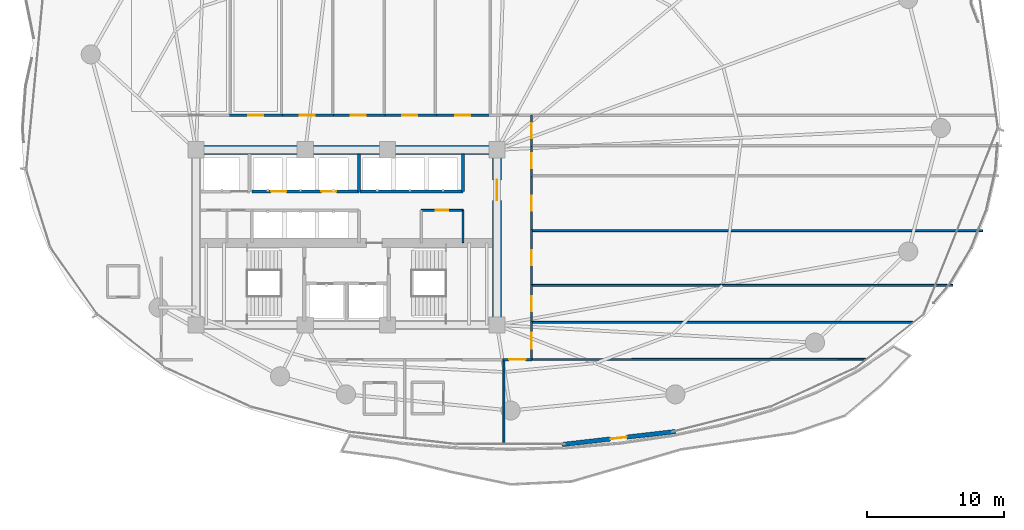
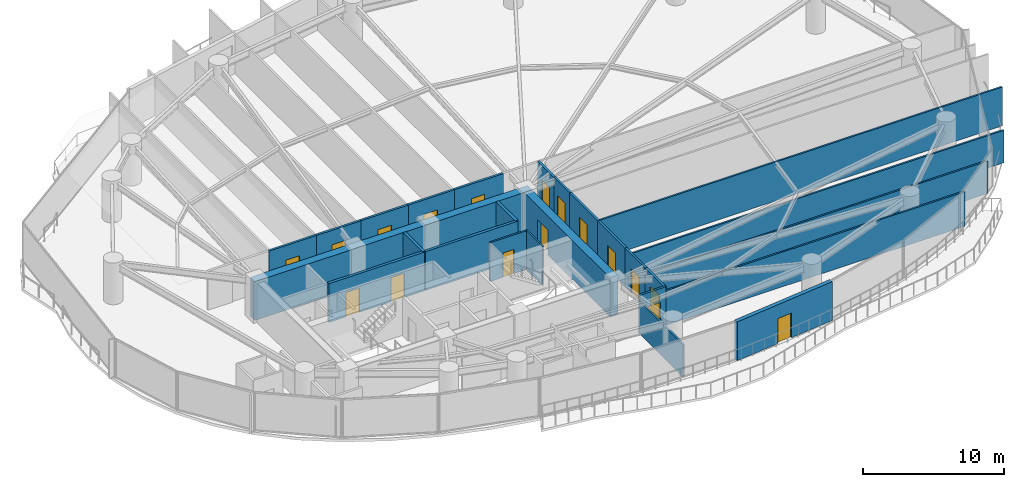
# One storey, part 26 of 32: 26 walls, 17 doors, 17 openings.
"""IFC4 building model written with IfcOpenShell, lengths in metres."""

from ifc_helpers import new_model, si_unit, direction, frame, frame_2d, origin, place, context, subcontext, project, spatial, rectangle, extrude, material, layer, layer_set, type_object, element, fill, save


model = new_model("IFC4")

# Units and contexts
model_context = context("Model", 3, precision=1e-05, world=origin(), true_north=direction((0.0, 1.0)))
body_context = subcontext(model_context, "Body", "Model", "MODEL_VIEW")
ifc_project = project(units=[si_unit("LENGTHUNIT", "METRE"), si_unit("AREAUNIT", "SQUARE_METRE"), si_unit("VOLUMEUNIT", "CUBIC_METRE"), si_unit("PLANEANGLEUNIT", "RADIAN"), si_unit("MASSUNIT", "GRAM", prefix="KILO")], contexts=[model_context])

# Site, building, storey
site_placement = place(None, origin())
site = spatial("IfcSite", under=ifc_project, at=site_placement, CompositionType="ELEMENT")
building_placement = place(site_placement, origin())
building = spatial("IfcBuilding", under=site, at=building_placement, Name="Kazevale Care Tower and Concert Hall", CompositionType="ELEMENT")
storey_placement = place(building_placement, frame((0.0, 0.0, 34.800048828125)))
storey = spatial("IfcBuildingStorey", under=building, at=storey_placement, Name="L08", CompositionType="ELEMENT", Elevation=34.800048828125)

# Wall
ifc_material_1 = material(Name="Acoustic Gypsum on Steel Stud", Category="steel")
ifc_layer_1 = layer(ifc_material_1, 0.139892578125)
ifc_layer_set_1 = layer_set([ifc_layer_1], Name="Acoustic Gypsum on Steel Stud")
wall_type_1 = type_object("IfcWallType", Name="Acoustic Care & Suite Partition 140", PredefinedType="PARTITIONING", material=ifc_layer_set_1)
wall_1_placement = place(storey_placement, frame((41.52001953125, 29.6201171875, 0.0), z_axis=(0.0, 0.0, 1.0), x_axis=(0.0, 1.0, 0.0)))
element("IfcWall", 1, at=wall_1_placement, inside=storey, type_object=wall_type_1, Name="wall:L08:kb_ee", PredefinedType="PARTITIONING", context=body_context, shape_type="SweptSolid", body=[
    extrude(rectangle(XDim=2.35986328125, YDim=0.139892578125, at=frame_2d((1.179931640625, 0.0))), origin(), (0.0, 0.0, 1.0), 3.35986328125),
])

# Wall, opening, door
wall_2_placement = place(storey_placement, frame((38.47998046875, 31.97998046875, 0.0), z_axis=(0.0, 0.0, 1.0), x_axis=(1.0, 0.0, 0.0)))
wall_2 = element("IfcWall", 2, at=wall_2_placement, inside=storey, type_object=wall_type_1, Name="wall:L08:kb_en", PredefinedType="PARTITIONING", context=body_context, shape_type="SweptSolid", body=[
    extrude(rectangle(XDim=3.0400390625, YDim=0.139892578125, at=frame_2d((1.52001953125, 0.0))), origin(), (0.0, 0.0, 1.0), 3.35986328125),
])
opening_1_placement = place(wall_2_placement, frame((1.044921875, 0.0, 0.0)))
opening_1 = element("IfcOpeningElement", 3, at=opening_1_placement, cuts=wall_2, Name="Opening ID-900", PredefinedType="OPENING", context=body_context, shape_type="SweptSolid", body=[
    extrude(rectangle(XDim=0.919921875, YDim=2.10009765625, at=frame_2d((0.4599609375, 1.050048828125))), frame((0.0, 0.079833984375, 0.0), z_axis=(0.0, -1.0, 0.0), x_axis=(1.0, 0.0, 0.0)), (0.0, 0.0, 1.0), 0.159912109375),
])
ifc_material_2 = material(Name="Oak Timber Fire Leaf", Category="wood")
door_type_1 = type_object("IfcDoorType", Name="Bathroom & Service Door 920x2100", OperationType="NOTDEFINED", PredefinedType="DOOR", material=ifc_material_2)
door_1_placement = place(opening_1_placement, origin())
door_1 = element("IfcDoor", 4, at=door_1_placement, inside=storey, type_object=door_type_1, Name="door:L08:d_kbe", OperationType="SINGLE_SWING_LEFT", OverallHeight=2.10009765625, OverallWidth=0.919921875, PredefinedType="DOOR", context=body_context, shape_type="SweptSolid", body=[
    extrude(rectangle(XDim=0.919921875, YDim=2.10009765625, at=frame_2d((0.4599609375, 1.050048828125))), frame((0.0, 0.02490234375, 0.0), z_axis=(0.0, -1.0, 0.0), x_axis=(1.0, 0.0, 0.0)), (0.0, 0.0, 1.0), 0.050048828125),
])
fill(opening_1, door_1)

# Walls
wall_3_placement = place(storey_placement, frame((46.4951171875, 23.7900390625, 0.0), z_axis=(0.0, 0.0, 1.0), x_axis=(1.0, 0.0, 0.0)))
element("IfcWall", 5, at=wall_3_placement, inside=storey, type_object=wall_type_1, Name="wall:L08:auto_026", PredefinedType="PARTITIONING", context=body_context, shape_type="SweptSolid", body=[
    extrude(rectangle(XDim=27.9462890625, YDim=0.139892578125, at=frame_2d((13.97314453125, 0.0))), origin(), (0.0, 0.0, 1.0), 2.805908203125),
])
wall_4_placement = place(storey_placement, frame((71.0107421875, 21.094482421875, 0.0), z_axis=(0.0, 0.0, 1.0), x_axis=(-0.999999682646, -0.000796685534, 0.0)))
element("IfcWall", 6, at=wall_4_placement, inside=storey, type_object=wall_type_1, Name="wall:L08:auto_027", PredefinedType="PARTITIONING", context=body_context, shape_type="SweptSolid", body=[
    extrude(rectangle(XDim=24.515625, YDim=0.139892578125, at=frame_2d((12.2578125, 0.0))), origin(), (0.0, 0.0, 1.0), 2.995849609375),
])
wall_5_placement = place(storey_placement, frame((46.4951171875, 26.5, 0.0), z_axis=(0.0, 0.0, 1.0), x_axis=(1.0, 0.0, 0.0)))
element("IfcWall", 7, at=wall_5_placement, inside=storey, type_object=wall_type_1, Name="wall:L08:auto_028", PredefinedType="PARTITIONING", context=body_context, shape_type="SweptSolid", body=[
    extrude(rectangle(XDim=30.830810546875, YDim=0.139892578125, at=frame_2d((15.41552734375, 0.0))), origin(), (0.0, 0.0, 1.0), 2.805908203125),
])
wall_6_placement = place(storey_placement, frame((46.4951171875, 30.5, 0.0), z_axis=(0.0, 0.0, 1.0), x_axis=(1.0, 0.0, 0.0)))
element("IfcWall", 8, at=wall_6_placement, inside=storey, type_object=wall_type_1, Name="wall:L08:auto_029", PredefinedType="PARTITIONING", context=body_context, shape_type="SweptSolid", body=[
    extrude(rectangle(XDim=33.0078125, YDim=0.139892578125, at=frame_2d((16.50390625, 0.0))), origin(), (0.0, 0.0, 1.0), 3.35986328125),
])
wall_7_placement = place(storey_placement, frame((44.5, 21.10498046875, 0.0), z_axis=(0.0, 0.0, 1.0), x_axis=(0.0, -1.0, 0.0)))
element("IfcWall", 9, at=wall_7_placement, inside=storey, type_object=wall_type_1, Name="wall:L08:auto_033", PredefinedType="PARTITIONING", context=body_context, shape_type="SweptSolid", body=[
    extrude(rectangle(XDim=6.205078125, YDim=0.139892578125, at=frame_2d((3.1025390625, 0.0))), origin(), (0.0, 0.0, 1.0), 2.805908203125),
])
ifc_material_3 = material(Name="Concrete C70", Category="concrete")
ifc_layer_2 = layer(ifc_material_3, 0.64990234375)
ifc_layer_set_2 = layer_set([ifc_layer_2], Name="Concrete C70")
wall_type_2 = type_object("IfcWallType", Name="Core Shear Wall 650 C70", PredefinedType="SHEAR", material=ifc_layer_set_2)
wall_8_placement = place(storey_placement, frame((21.675048828125, 36.39990234375, 0.0), z_axis=(0.0, 0.0, 1.0), x_axis=(1.0, 0.0, 0.0)))
element("IfcWall", 10, at=wall_8_placement, inside=storey, type_object=wall_type_2, Name="wall:L08:core:N", PredefinedType="SHEAR", context=body_context, shape_type="SweptSolid", body=[
    extrude(rectangle(XDim=22.64990234375, YDim=0.64990234375, at=frame_2d((11.324951171875, 0.0))), origin(), (0.0, 0.0, 1.0), 3.35986328125),
])

# Wall, opening, door
wall_9_placement = place(storey_placement, frame((44.0, 23.925048828125, 0.0), z_axis=(0.0, 0.0, 1.0), x_axis=(0.0, 1.0, 0.0)))
wall_9 = element("IfcWall", 11, at=wall_9_placement, inside=storey, type_object=wall_type_2, Name="wall:L08:core:E", PredefinedType="SHEAR", context=body_context, shape_type="SweptSolid", body=[
    extrude(rectangle(XDim=12.14990234375, YDim=0.64990234375, at=frame_2d((6.074951171875, 0.0))), origin(), (0.0, 0.0, 1.0), 3.35986328125),
])
opening_2_placement = place(wall_9_placement, frame((8.77490234375, 0.0, 0.0)))
opening_2 = element("IfcOpeningElement", 12, at=opening_2_placement, cuts=wall_9, Name="Opening FD-60D", PredefinedType="OPENING", context=body_context, shape_type="SweptSolid", body=[
    extrude(rectangle(XDim=1.5, YDim=2.14990234375, at=frame_2d((0.75, 1.074951171875))), frame((0.0, 0.3349609375, 0.0), z_axis=(0.0, -1.0, 0.0), x_axis=(1.0, 0.0, 0.0)), (0.0, 0.0, 1.0), 0.669921875),
])
door_type_2 = type_object("IfcDoorType", Name="Double Lobby & Auditorium Fire Door 1500x2150", OperationType="NOTDEFINED", PredefinedType="DOOR", material=ifc_material_2)
door_2_placement = place(opening_2_placement, origin())
door_2 = element("IfcDoor", 13, at=door_2_placement, inside=storey, type_object=door_type_2, Name="door:L08:core_east_out", OperationType="DOUBLE_DOOR_SINGLE_SWING", OverallHeight=2.14990234375, OverallWidth=1.5, PredefinedType="DOOR", context=body_context, shape_type="SweptSolid", body=[
    extrude(rectangle(XDim=1.5, YDim=2.14990234375, at=frame_2d((0.75, 1.074951171875))), frame((0.0, 0.02490234375, 0.0), z_axis=(0.0, -1.0, 0.0), x_axis=(1.0, 0.0, 0.0)), (0.0, 0.0, 1.0), 0.050048828125),
])
fill(opening_2, door_2)

# Wall, openings, doors
ifc_material_4 = material(Name="Concrete C40", Category="concrete")
ifc_layer_3 = layer(ifc_material_4, 0.219970703125)
ifc_layer_set_3 = layer_set([ifc_layer_3], Name="Concrete C40")
wall_type_3 = type_object("IfcWallType", Name="Elevator Hoistway Shaft Wall 220", PredefinedType="SOLIDWALL", material=ifc_layer_set_3)
wall_10_placement = place(storey_placement, frame((26.10009765625, 33.35009765625, 0.0), z_axis=(0.0, 0.0, 1.0), x_axis=(1.0, 0.0, 0.0)))
wall_10 = element("IfcWall", 14, at=wall_10_placement, inside=storey, type_object=wall_type_3, Name="wall:L08:c_pl_s", PredefinedType="SOLIDWALL", context=body_context, shape_type="SweptSolid", body=[
    extrude(rectangle(XDim=7.7998046875, YDim=0.219970703125, at=frame_2d((3.89990234375, 0.0))), origin(), (0.0, 0.0, 1.0), 3.35986328125),
])
opening_3_placement = place(wall_10_placement, frame((1.39990234375, 0.0, 0.0)))
opening_3 = element("IfcOpeningElement", 15, at=opening_3_placement, cuts=wall_10, Name="Opening LD-PAX", PredefinedType="OPENING", context=body_context, shape_type="SweptSolid", body=[
    extrude(rectangle(XDim=1.10009765625, YDim=2.10009765625, at=frame_2d((0.550048828125, 1.050048828125))), frame((0.0, 0.119873046875, 0.0), z_axis=(0.0, -1.0, 0.0), x_axis=(1.0, 0.0, 0.0)), (0.0, 0.0, 1.0), 0.239990234375),
])
opening_4_placement = place(wall_10_placement, frame((5.06591796875, 0.0, 0.0)))
opening_4 = element("IfcOpeningElement", 16, at=opening_4_placement, cuts=wall_10, Name="Opening LD-PAX", PredefinedType="OPENING", context=body_context, shape_type="SweptSolid", body=[
    extrude(rectangle(XDim=1.10009765625, YDim=2.10009765625, at=frame_2d((0.550048828125, 1.050048828125))), frame((0.0, 0.119873046875, 0.0), z_axis=(0.0, -1.0, 0.0), x_axis=(1.0, 0.0, 0.0)), (0.0, 0.0, 1.0), 0.239990234375),
])
ifc_material_5 = material(Name="Stainless Steel 316", Category="steel")
door_type_3 = type_object("IfcDoorType", Name="Passenger Lift Sliding Landing Door 1100x2100", OperationType="NOTDEFINED", PredefinedType="DOOR", material=ifc_material_5)
door_3_placement = place(opening_3_placement, origin())
door_3 = element("IfcDoor", 17, at=door_3_placement, inside=storey, type_object=door_type_3, Name="door:L08:ld_pl1", OperationType="SLIDING_TO_LEFT", OverallHeight=2.10009765625, OverallWidth=1.10009765625, PredefinedType="DOOR", context=body_context, shape_type="SweptSolid", body=[
    extrude(rectangle(XDim=1.10009765625, YDim=2.10009765625, at=frame_2d((0.550048828125, 1.050048828125))), frame((0.0, 0.02490234375, 0.0), z_axis=(0.0, -1.0, 0.0), x_axis=(1.0, 0.0, 0.0)), (0.0, 0.0, 1.0), 0.050048828125),
])
fill(opening_3, door_3)
door_4_placement = place(opening_4_placement, origin())
door_4 = element("IfcDoor", 18, at=door_4_placement, inside=storey, type_object=door_type_3, Name="door:L08:ld_pl2", OperationType="SLIDING_TO_RIGHT", OverallHeight=2.10009765625, OverallWidth=1.10009765625, PredefinedType="DOOR", context=body_context, shape_type="SweptSolid", body=[
    extrude(rectangle(XDim=1.10009765625, YDim=2.10009765625, at=frame_2d((0.550048828125, 1.050048828125))), frame((0.0, 0.02490234375, 0.0), z_axis=(0.0, -1.0, 0.0), x_axis=(1.0, 0.0, 0.0)), (0.0, 0.0, 1.0), 0.050048828125),
])
fill(opening_4, door_4)

# Walls
wall_11_placement = place(storey_placement, frame((33.89990234375, 33.35009765625, 0.0), z_axis=(0.0, 0.0, 1.0), x_axis=(0.0, 1.0, 0.0)))
element("IfcWall", 19, at=wall_11_placement, inside=storey, type_object=wall_type_3, Name="wall:L08:c_pl_e", PredefinedType="SOLIDWALL", context=body_context, shape_type="SweptSolid", body=[
    extrude(rectangle(XDim=2.72998046875, YDim=0.219970703125, at=frame_2d((1.364990234375, 0.0))), origin(), (0.0, 0.0, 1.0), 3.35986328125),
])
wall_12_placement = place(storey_placement, frame((33.97998046875, 33.35009765625, 0.0), z_axis=(0.0, 0.0, 1.0), x_axis=(1.0, 0.0, 0.0)))
element("IfcWall", 20, at=wall_12_placement, inside=storey, type_object=wall_type_3, Name="wall:L08:c_pm_s", PredefinedType="SOLIDWALL", context=body_context, shape_type="SweptSolid", body=[
    extrude(rectangle(XDim=7.5400390625, YDim=0.219970703125, at=frame_2d((3.77001953125, 0.0))), origin(), (0.0, 0.0, 1.0), 3.35986328125),
])
wall_13_placement = place(storey_placement, frame((41.5, 33.35009765625, 0.0), z_axis=(0.0, 0.0, 1.0), x_axis=(0.0, 1.0, 0.0)))
element("IfcWall", 21, at=wall_13_placement, inside=storey, type_object=wall_type_3, Name="wall:L08:c_pm_e", PredefinedType="SOLIDWALL", context=body_context, shape_type="SweptSolid", body=[
    extrude(rectangle(XDim=2.75, YDim=0.219970703125, at=frame_2d((1.375, 0.0))), origin(), (0.0, 0.0, 1.0), 3.35986328125),
])

# Wall, opening, door
ifc_material_6 = material(Name="Concrete C40 and Acoustic Gypsum", Category="concrete")
ifc_layer_4 = layer(ifc_material_6, 0.179931640625)
ifc_layer_set_4 = layer_set([ifc_layer_4], Name="Concrete C40 and Acoustic Gypsum")
wall_type_4 = type_object("IfcWallType", Name="Fire-Rated Corridor & Party Wall 180", PredefinedType="PARTITIONING", material=ifc_layer_set_4)
wall_14_placement = place(storey_placement, frame((24.43505859375, 38.925048828125, 0.0), z_axis=(0.0, 0.0, 1.0), x_axis=(1.0, 0.0, 0.0)))
wall_14 = element("IfcWall", 22, at=wall_14_placement, inside=storey, type_object=wall_type_4, Name="wall:L08:auto_002", PredefinedType="PARTITIONING", context=body_context, shape_type="SweptSolid", body=[
    extrude(rectangle(XDim=3.8798828125, YDim=0.179931640625, at=frame_2d((1.93994140625, 0.0))), origin(), (0.0, 0.0, 1.0), 3.35986328125),
])
opening_5_placement = place(wall_14_placement, frame((1.389892578125, 0.0, 0.0)))
opening_5 = element("IfcOpeningElement", 23, at=opening_5_placement, cuts=wall_14, Name="Opening ID-1100", PredefinedType="OPENING", context=body_context, shape_type="SweptSolid", body=[
    extrude(rectangle(XDim=1.10009765625, YDim=2.10009765625, at=frame_2d((0.550048828125, 1.050048828125))), frame((0.0, 0.099853515625, 0.0), z_axis=(0.0, -1.0, 0.0), x_axis=(1.0, 0.0, 0.0)), (0.0, 0.0, 1.0), 0.199951171875),
])
door_type_4 = type_object("IfcDoorType", Name="Care Bedroom Accessible Door 1100x2100", OperationType="NOTDEFINED", PredefinedType="DOOR", material=ifc_material_2)
door_5_placement = place(opening_5_placement, origin())
door_5 = element("IfcDoor", 24, at=door_5_placement, inside=storey, type_object=door_type_4, Name="door:L08:ad_002", OperationType="SINGLE_SWING_LEFT", OverallHeight=2.10009765625, OverallWidth=1.10009765625, PredefinedType="DOOR", context=body_context, shape_type="SweptSolid", body=[
    extrude(rectangle(XDim=1.10009765625, YDim=2.10009765625, at=frame_2d((0.550048828125, 1.050048828125))), frame((0.0, 0.02490234375, 0.0), z_axis=(0.0, -1.0, 0.0), x_axis=(1.0, 0.0, 0.0)), (0.0, 0.0, 1.0), 0.050048828125),
])
fill(opening_5, door_5)

wall_15_placement = place(storey_placement, frame((28.18505859375, 38.925048828125, 0.0), z_axis=(0.0, 0.0, 1.0), x_axis=(1.0, 0.0, 0.0)))
wall_15 = element("IfcWall", 25, at=wall_15_placement, inside=storey, type_object=wall_type_4, Name="wall:L08:auto_003", PredefinedType="PARTITIONING", context=body_context, shape_type="SweptSolid", body=[
    extrude(rectangle(XDim=3.8798828125, YDim=0.179931640625, at=frame_2d((1.93994140625, 0.0))), origin(), (0.0, 0.0, 1.0), 3.35986328125),
])
opening_6_placement = place(wall_15_placement, frame((1.389892578125, 0.0, 0.0)))
opening_6 = element("IfcOpeningElement", 26, at=opening_6_placement, cuts=wall_15, Name="Opening ID-1100", PredefinedType="OPENING", context=body_context, shape_type="SweptSolid", body=[
    extrude(rectangle(XDim=1.10009765625, YDim=2.10009765625, at=frame_2d((0.550048828125, 1.050048828125))), frame((0.0, 0.099853515625, 0.0), z_axis=(0.0, -1.0, 0.0), x_axis=(1.0, 0.0, 0.0)), (0.0, 0.0, 1.0), 0.199951171875),
])
door_6_placement = place(opening_6_placement, origin())
door_6 = element("IfcDoor", 27, at=door_6_placement, inside=storey, type_object=door_type_4, Name="door:L08:ad_003", OperationType="SINGLE_SWING_LEFT", OverallHeight=2.10009765625, OverallWidth=1.10009765625, PredefinedType="DOOR", context=body_context, shape_type="SweptSolid", body=[
    extrude(rectangle(XDim=1.10009765625, YDim=2.10009765625, at=frame_2d((0.550048828125, 1.050048828125))), frame((0.0, 0.02490234375, 0.0), z_axis=(0.0, -1.0, 0.0), x_axis=(1.0, 0.0, 0.0)), (0.0, 0.0, 1.0), 0.050048828125),
])
fill(opening_6, door_6)

wall_16_placement = place(storey_placement, frame((31.93505859375, 38.925048828125, 0.0), z_axis=(0.0, 0.0, 1.0), x_axis=(1.0, 0.0, 0.0)))
wall_16 = element("IfcWall", 28, at=wall_16_placement, inside=storey, type_object=wall_type_4, Name="wall:L08:auto_004", PredefinedType="PARTITIONING", context=body_context, shape_type="SweptSolid", body=[
    extrude(rectangle(XDim=3.8798828125, YDim=0.179931640625, at=frame_2d((1.93994140625, 0.0))), origin(), (0.0, 0.0, 1.0), 3.35986328125),
])
opening_7_placement = place(wall_16_placement, frame((1.389892578125, 0.0, 0.0)))
opening_7 = element("IfcOpeningElement", 29, at=opening_7_placement, cuts=wall_16, Name="Opening ID-1100", PredefinedType="OPENING", context=body_context, shape_type="SweptSolid", body=[
    extrude(rectangle(XDim=1.10009765625, YDim=2.10009765625, at=frame_2d((0.550048828125, 1.050048828125))), frame((0.0, 0.099853515625, 0.0), z_axis=(0.0, -1.0, 0.0), x_axis=(1.0, 0.0, 0.0)), (0.0, 0.0, 1.0), 0.199951171875),
])
door_7_placement = place(opening_7_placement, origin())
door_7 = element("IfcDoor", 30, at=door_7_placement, inside=storey, type_object=door_type_4, Name="door:L08:ad_004", OperationType="SINGLE_SWING_LEFT", OverallHeight=2.10009765625, OverallWidth=1.10009765625, PredefinedType="DOOR", context=body_context, shape_type="SweptSolid", body=[
    extrude(rectangle(XDim=1.10009765625, YDim=2.10009765625, at=frame_2d((0.550048828125, 1.050048828125))), frame((0.0, 0.02490234375, 0.0), z_axis=(0.0, -1.0, 0.0), x_axis=(1.0, 0.0, 0.0)), (0.0, 0.0, 1.0), 0.050048828125),
])
fill(opening_7, door_7)

wall_17_placement = place(storey_placement, frame((35.68505859375, 38.925048828125, 0.0), z_axis=(0.0, 0.0, 1.0), x_axis=(1.0, 0.0, 0.0)))
wall_17 = element("IfcWall", 31, at=wall_17_placement, inside=storey, type_object=wall_type_4, Name="wall:L08:auto_005", PredefinedType="PARTITIONING", context=body_context, shape_type="SweptSolid", body=[
    extrude(rectangle(XDim=3.8798828125, YDim=0.179931640625, at=frame_2d((1.93994140625, 0.0))), origin(), (0.0, 0.0, 1.0), 3.35986328125),
])
opening_8_placement = place(wall_17_placement, frame((1.389892578125, 0.0, 0.0)))
opening_8 = element("IfcOpeningElement", 32, at=opening_8_placement, cuts=wall_17, Name="Opening ID-1100", PredefinedType="OPENING", context=body_context, shape_type="SweptSolid", body=[
    extrude(rectangle(XDim=1.10009765625, YDim=2.10009765625, at=frame_2d((0.550048828125, 1.050048828125))), frame((0.0, 0.099853515625, 0.0), z_axis=(0.0, -1.0, 0.0), x_axis=(1.0, 0.0, 0.0)), (0.0, 0.0, 1.0), 0.199951171875),
])
door_8_placement = place(opening_8_placement, origin())
door_8 = element("IfcDoor", 33, at=door_8_placement, inside=storey, type_object=door_type_4, Name="door:L08:ad_005", OperationType="SINGLE_SWING_LEFT", OverallHeight=2.10009765625, OverallWidth=1.10009765625, PredefinedType="DOOR", context=body_context, shape_type="SweptSolid", body=[
    extrude(rectangle(XDim=1.10009765625, YDim=2.10009765625, at=frame_2d((0.550048828125, 1.050048828125))), frame((0.0, 0.02490234375, 0.0), z_axis=(0.0, -1.0, 0.0), x_axis=(1.0, 0.0, 0.0)), (0.0, 0.0, 1.0), 0.050048828125),
])
fill(opening_8, door_8)

wall_18_placement = place(storey_placement, frame((39.43505859375, 38.925048828125, 0.0), z_axis=(0.0, 0.0, 1.0), x_axis=(1.0, 0.0, 0.0)))
wall_18 = element("IfcWall", 34, at=wall_18_placement, inside=storey, type_object=wall_type_4, Name="wall:L08:auto_006", PredefinedType="PARTITIONING", context=body_context, shape_type="SweptSolid", body=[
    extrude(rectangle(XDim=4.1298828125, YDim=0.179931640625, at=frame_2d((2.06494140625, 0.0))), origin(), (0.0, 0.0, 1.0), 3.35986328125),
])
opening_9_placement = place(wall_18_placement, frame((1.514892578125, 0.0, 0.0)))
opening_9 = element("IfcOpeningElement", 35, at=opening_9_placement, cuts=wall_18, Name="Opening ID-1100", PredefinedType="OPENING", context=body_context, shape_type="SweptSolid", body=[
    extrude(rectangle(XDim=1.10009765625, YDim=2.10009765625, at=frame_2d((0.550048828125, 1.050048828125))), frame((0.0, 0.099853515625, 0.0), z_axis=(0.0, -1.0, 0.0), x_axis=(1.0, 0.0, 0.0)), (0.0, 0.0, 1.0), 0.199951171875),
])
door_9_placement = place(opening_9_placement, origin())
door_9 = element("IfcDoor", 36, at=door_9_placement, inside=storey, type_object=door_type_4, Name="door:L08:ad_006", OperationType="SINGLE_SWING_LEFT", OverallHeight=2.10009765625, OverallWidth=1.10009765625, PredefinedType="DOOR", context=body_context, shape_type="SweptSolid", body=[
    extrude(rectangle(XDim=1.10009765625, YDim=2.10009765625, at=frame_2d((0.550048828125, 1.050048828125))), frame((0.0, 0.02490234375, 0.0), z_axis=(0.0, -1.0, 0.0), x_axis=(1.0, 0.0, 0.0)), (0.0, 0.0, 1.0), 0.050048828125),
])
fill(opening_9, door_9)

wall_19_placement = place(storey_placement, frame((46.52490234375, 23.85498046875, 0.0), z_axis=(0.0, 0.0, 1.0), x_axis=(0.0, -1.0, 0.0)))
wall_19 = element("IfcWall", 37, at=wall_19_placement, inside=storey, type_object=wall_type_4, Name="wall:L08:auto_008", PredefinedType="PARTITIONING", context=body_context, shape_type="SweptSolid", body=[
    extrude(rectangle(XDim=2.81005859375, YDim=0.179931640625, at=frame_2d((1.405029296875, 0.0))), origin(), (0.0, 0.0, 1.0), 3.35986328125),
])
opening_10_placement = place(wall_19_placement, frame((0.804931640625, 0.0, 0.0)))
opening_10 = element("IfcOpeningElement", 38, at=opening_10_placement, cuts=wall_19, Name="Opening ID-1200", PredefinedType="OPENING", context=body_context, shape_type="SweptSolid", body=[
    extrude(rectangle(XDim=1.199951171875, YDim=2.14990234375, at=frame_2d((0.60009765625, 1.074951171875))), frame((0.0, 0.099853515625, 0.0), z_axis=(0.0, -1.0, 0.0), x_axis=(1.0, 0.0, 0.0)), (0.0, 0.0, 1.0), 0.199951171875),
])
door_type_5 = type_object("IfcDoorType", Name="Clinical & Therapy Door 1200x2150", OperationType="NOTDEFINED", PredefinedType="DOOR", material=ifc_material_2)
door_10_placement = place(opening_10_placement, origin())
door_10 = element("IfcDoor", 39, at=door_10_placement, inside=storey, type_object=door_type_5, Name="door:L08:ad_008", OperationType="SINGLE_SWING_LEFT", OverallHeight=2.14990234375, OverallWidth=1.199951171875, PredefinedType="DOOR", context=body_context, shape_type="SweptSolid", body=[
    extrude(rectangle(XDim=1.199951171875, YDim=2.14990234375, at=frame_2d((0.60009765625, 1.074951171875))), frame((0.0, 0.02490234375, 0.0), z_axis=(0.0, -1.0, 0.0), x_axis=(1.0, 0.0, 0.0)), (0.0, 0.0, 1.0), 0.050048828125),
])
fill(opening_10, door_10)

wall_20_placement = place(storey_placement, frame((46.52490234375, 26.56494140625, 0.0), z_axis=(0.0, 0.0, 1.0), x_axis=(0.0, -1.0, 0.0)))
wall_20 = element("IfcWall", 40, at=wall_20_placement, inside=storey, type_object=wall_type_4, Name="wall:L08:auto_009", PredefinedType="PARTITIONING", context=body_context, shape_type="SweptSolid", body=[
    extrude(rectangle(XDim=2.83984375, YDim=0.179931640625, at=frame_2d((1.419921875, 0.0))), origin(), (0.0, 0.0, 1.0), 3.35986328125),
])
opening_11_placement = place(wall_20_placement, frame((0.8701171875, 0.0, 0.0)))
opening_11 = element("IfcOpeningElement", 41, at=opening_11_placement, cuts=wall_20, Name="Opening ID-1100", PredefinedType="OPENING", context=body_context, shape_type="SweptSolid", body=[
    extrude(rectangle(XDim=1.10009765625, YDim=2.10009765625, at=frame_2d((0.550048828125, 1.050048828125))), frame((0.0, 0.099853515625, 0.0), z_axis=(0.0, -1.0, 0.0), x_axis=(1.0, 0.0, 0.0)), (0.0, 0.0, 1.0), 0.199951171875),
])
door_11_placement = place(opening_11_placement, origin())
door_11 = element("IfcDoor", 42, at=door_11_placement, inside=storey, type_object=door_type_4, Name="door:L08:ad_009", OperationType="SINGLE_SWING_LEFT", OverallHeight=2.10009765625, OverallWidth=1.10009765625, PredefinedType="DOOR", context=body_context, shape_type="SweptSolid", body=[
    extrude(rectangle(XDim=1.10009765625, YDim=2.10009765625, at=frame_2d((0.550048828125, 1.050048828125))), frame((0.0, 0.02490234375, 0.0), z_axis=(0.0, -1.0, 0.0), x_axis=(1.0, 0.0, 0.0)), (0.0, 0.0, 1.0), 0.050048828125),
])
fill(opening_11, door_11)

wall_21_placement = place(storey_placement, frame((46.52490234375, 30.56494140625, 0.0), z_axis=(0.0, 0.0, 1.0), x_axis=(0.0, -1.0, 0.0)))
wall_21 = element("IfcWall", 43, at=wall_21_placement, inside=storey, type_object=wall_type_4, Name="wall:L08:auto_010", PredefinedType="PARTITIONING", context=body_context, shape_type="SweptSolid", body=[
    extrude(rectangle(XDim=4.1298828125, YDim=0.179931640625, at=frame_2d((2.06494140625, 0.0))), origin(), (0.0, 0.0, 1.0), 3.35986328125),
])
opening_12_placement = place(wall_21_placement, frame((1.514892578125, 0.0, 0.0)))
opening_12 = element("IfcOpeningElement", 44, at=opening_12_placement, cuts=wall_21, Name="Opening ID-1100", PredefinedType="OPENING", context=body_context, shape_type="SweptSolid", body=[
    extrude(rectangle(XDim=1.10009765625, YDim=2.10009765625, at=frame_2d((0.550048828125, 1.050048828125))), frame((0.0, 0.099853515625, 0.0), z_axis=(0.0, -1.0, 0.0), x_axis=(1.0, 0.0, 0.0)), (0.0, 0.0, 1.0), 0.199951171875),
])
door_12_placement = place(opening_12_placement, origin())
door_12 = element("IfcDoor", 45, at=door_12_placement, inside=storey, type_object=door_type_4, Name="door:L08:ad_010", OperationType="SINGLE_SWING_LEFT", OverallHeight=2.10009765625, OverallWidth=1.10009765625, PredefinedType="DOOR", context=body_context, shape_type="SweptSolid", body=[
    extrude(rectangle(XDim=1.10009765625, YDim=2.10009765625, at=frame_2d((0.550048828125, 1.050048828125))), frame((0.0, 0.02490234375, 0.0), z_axis=(0.0, -1.0, 0.0), x_axis=(1.0, 0.0, 0.0)), (0.0, 0.0, 1.0), 0.050048828125),
])
fill(opening_12, door_12)

wall_22_placement = place(storey_placement, frame((46.52490234375, 34.56494140625, 0.0), z_axis=(0.0, 0.0, 1.0), x_axis=(0.0, -1.0, 0.0)))
wall_22 = element("IfcWall", 46, at=wall_22_placement, inside=storey, type_object=wall_type_4, Name="wall:L08:auto_011", PredefinedType="PARTITIONING", context=body_context, shape_type="SweptSolid", body=[
    extrude(rectangle(XDim=4.1298828125, YDim=0.179931640625, at=frame_2d((2.06494140625, 0.0))), origin(), (0.0, 0.0, 1.0), 3.35986328125),
])
opening_13_placement = place(wall_22_placement, frame((1.514892578125, 0.0, 0.0)))
opening_13 = element("IfcOpeningElement", 47, at=opening_13_placement, cuts=wall_22, Name="Opening ID-1100", PredefinedType="OPENING", context=body_context, shape_type="SweptSolid", body=[
    extrude(rectangle(XDim=1.10009765625, YDim=2.10009765625, at=frame_2d((0.550048828125, 1.050048828125))), frame((0.0, 0.099853515625, 0.0), z_axis=(0.0, -1.0, 0.0), x_axis=(1.0, 0.0, 0.0)), (0.0, 0.0, 1.0), 0.199951171875),
])
door_13_placement = place(opening_13_placement, origin())
door_13 = element("IfcDoor", 48, at=door_13_placement, inside=storey, type_object=door_type_4, Name="door:L08:ad_011", OperationType="SINGLE_SWING_LEFT", OverallHeight=2.10009765625, OverallWidth=1.10009765625, PredefinedType="DOOR", context=body_context, shape_type="SweptSolid", body=[
    extrude(rectangle(XDim=1.10009765625, YDim=2.10009765625, at=frame_2d((0.550048828125, 1.050048828125))), frame((0.0, 0.02490234375, 0.0), z_axis=(0.0, -1.0, 0.0), x_axis=(1.0, 0.0, 0.0)), (0.0, 0.0, 1.0), 0.050048828125),
])
fill(opening_13, door_13)

wall_23_placement = place(storey_placement, frame((46.52490234375, 36.77490234375, 0.0), z_axis=(0.0, 0.0, 1.0), x_axis=(0.0, -1.0, 0.0)))
wall_23 = element("IfcWall", 49, at=wall_23_placement, inside=storey, type_object=wall_type_4, Name="wall:L08:auto_012", PredefinedType="PARTITIONING", context=body_context, shape_type="SweptSolid", body=[
    extrude(rectangle(XDim=2.33984375, YDim=0.179931640625, at=frame_2d((1.169921875, 0.0))), origin(), (0.0, 0.0, 1.0), 3.35986328125),
])
opening_14_placement = place(wall_23_placement, frame((0.6201171875, 0.0, 0.0)))
opening_14 = element("IfcOpeningElement", 50, at=opening_14_placement, cuts=wall_23, Name="Opening ID-1100", PredefinedType="OPENING", context=body_context, shape_type="SweptSolid", body=[
    extrude(rectangle(XDim=1.10009765625, YDim=2.10009765625, at=frame_2d((0.550048828125, 1.050048828125))), frame((0.0, 0.099853515625, 0.0), z_axis=(0.0, -1.0, 0.0), x_axis=(1.0, 0.0, 0.0)), (0.0, 0.0, 1.0), 0.199951171875),
])
door_14_placement = place(opening_14_placement, origin())
door_14 = element("IfcDoor", 51, at=door_14_placement, inside=storey, type_object=door_type_4, Name="door:L08:ad_012", OperationType="SINGLE_SWING_LEFT", OverallHeight=2.10009765625, OverallWidth=1.10009765625, PredefinedType="DOOR", context=body_context, shape_type="SweptSolid", body=[
    extrude(rectangle(XDim=1.10009765625, YDim=2.10009765625, at=frame_2d((0.550048828125, 1.050048828125))), frame((0.0, 0.02490234375, 0.0), z_axis=(0.0, -1.0, 0.0), x_axis=(1.0, 0.0, 0.0)), (0.0, 0.0, 1.0), 0.050048828125),
])
fill(opening_14, door_14)

wall_24_placement = place(storey_placement, frame((46.52490234375, 38.955078125, 0.0), z_axis=(0.0, 0.0, 1.0), x_axis=(0.0, -1.0, 0.0)))
wall_24 = element("IfcWall", 52, at=wall_24_placement, inside=storey, type_object=wall_type_4, Name="wall:L08:auto_013", PredefinedType="PARTITIONING", context=body_context, shape_type="SweptSolid", body=[
    extrude(rectangle(XDim=2.31005859375, YDim=0.179931640625, at=frame_2d((1.155029296875, 0.0))), origin(), (0.0, 0.0, 1.0), 3.35986328125),
])
opening_15_placement = place(wall_24_placement, frame((0.60498046875, 0.0, 0.0)))
opening_15 = element("IfcOpeningElement", 53, at=opening_15_placement, cuts=wall_24, Name="Opening ID-1100", PredefinedType="OPENING", context=body_context, shape_type="SweptSolid", body=[
    extrude(rectangle(XDim=1.10009765625, YDim=2.10009765625, at=frame_2d((0.550048828125, 1.050048828125))), frame((0.0, 0.099853515625, 0.0), z_axis=(0.0, -1.0, 0.0), x_axis=(1.0, 0.0, 0.0)), (0.0, 0.0, 1.0), 0.199951171875),
])
door_15_placement = place(opening_15_placement, origin())
door_15 = element("IfcDoor", 54, at=door_15_placement, inside=storey, type_object=door_type_4, Name="door:L08:ad_013", OperationType="SINGLE_SWING_LEFT", OverallHeight=2.10009765625, OverallWidth=1.10009765625, PredefinedType="DOOR", context=body_context, shape_type="SweptSolid", body=[
    extrude(rectangle(XDim=1.10009765625, YDim=2.10009765625, at=frame_2d((0.550048828125, 1.050048828125))), frame((0.0, 0.02490234375, 0.0), z_axis=(0.0, -1.0, 0.0), x_axis=(1.0, 0.0, 0.0)), (0.0, 0.0, 1.0), 0.050048828125),
])
fill(opening_15, door_15)

wall_25_placement = place(storey_placement, frame((46.554931640625, 21.074951171875, 0.0), z_axis=(0.0, 0.0, 1.0), x_axis=(-1.0, 0.0, 0.0)))
wall_25 = element("IfcWall", 55, at=wall_25_placement, inside=storey, type_object=wall_type_4, Name="wall:L08:auto_016", PredefinedType="PARTITIONING", context=body_context, shape_type="SweptSolid", body=[
    extrude(rectangle(XDim=2.119873046875, YDim=0.179931640625, at=frame_2d((1.06005859375, 0.0))), origin(), (0.0, 0.0, 1.0), 3.35986328125),
])
opening_16_placement = place(wall_25_placement, frame((0.4599609375, 0.0, 0.0)))
opening_16 = element("IfcOpeningElement", 56, at=opening_16_placement, cuts=wall_25, Name="Opening ID-1200", PredefinedType="OPENING", context=body_context, shape_type="SweptSolid", body=[
    extrude(rectangle(XDim=1.199951171875, YDim=2.14990234375, at=frame_2d((0.60009765625, 1.074951171875))), frame((0.0, 0.099853515625, 0.0), z_axis=(0.0, -1.0, 0.0), x_axis=(1.0, 0.0, 0.0)), (0.0, 0.0, 1.0), 0.199951171875),
])
door_16_placement = place(opening_16_placement, origin())
door_16 = element("IfcDoor", 57, at=door_16_placement, inside=storey, type_object=door_type_5, Name="door:L08:ad_016", OperationType="SINGLE_SWING_LEFT", OverallHeight=2.14990234375, OverallWidth=1.199951171875, PredefinedType="DOOR", context=body_context, shape_type="SweptSolid", body=[
    extrude(rectangle(XDim=1.199951171875, YDim=2.14990234375, at=frame_2d((0.60009765625, 1.074951171875))), frame((0.0, 0.02490234375, 0.0), z_axis=(0.0, -1.0, 0.0), x_axis=(1.0, 0.0, 0.0)), (0.0, 0.0, 1.0), 0.050048828125),
])
fill(opening_16, door_16)

ifc_material_7 = material(Name="Concrete C40 with Honed Limestone Cladding", Category="masonry")
ifc_layer_5 = layer(ifc_material_7, 0.320068359375)
ifc_layer_set_5 = layer_set([ifc_layer_5], Name="Concrete C40 with Honed Limestone Cladding")
wall_type_5 = type_object("IfcWallType", Name="Tower Honed Limestone Spandrel Wall 320", PredefinedType="STANDARD", material=ifc_layer_set_5)
wall_26_placement = place(storey_placement, frame((57.050048828125, 15.81201171875, 0.0), z_axis=(0.0, 0.0, 1.0), x_axis=(-0.993503192468, -0.113804246649, 0.0)))
wall_26 = element("IfcWall", 58, at=wall_26_placement, inside=storey, type_object=wall_type_5, Name="wall:L08:bal_host", PredefinedType="STANDARD", context=body_context, shape_type="SweptSolid", body=[
    extrude(rectangle(XDim=8.364501953125, YDim=0.320068359375, at=frame_2d((4.18212890625, 0.0))), origin(), (0.0, 0.0, 1.0), 3.35986328125),
])
opening_17_placement = place(wall_26_placement, frame((3.58203125, 0.0, 0.0)))
opening_17 = element("IfcOpeningElement", 59, at=opening_17_placement, cuts=wall_26, Name="Opening BD-1200", PredefinedType="OPENING", context=body_context, shape_type="SweptSolid", body=[
    extrude(rectangle(XDim=1.199951171875, YDim=2.14990234375, at=frame_2d((0.60009765625, 1.074951171875))), frame((0.0, 0.169921875, 0.0), z_axis=(0.0, -1.0, 0.0), x_axis=(1.0, 0.0, 0.0)), (0.0, 0.0, 1.0), 0.340087890625),
])
ifc_material_8 = material(Name="Aluminium 6063-T6 and Low-E Glass", Category="aluminium")
door_type_6 = type_object("IfcDoorType", Name="Sheltered Balcony Glazed Door 1200x2150", OperationType="NOTDEFINED", PredefinedType="DOOR", material=ifc_material_8)
door_17_placement = place(opening_17_placement, origin())
door_17 = element("IfcDoor", 60, at=door_17_placement, inside=storey, type_object=door_type_6, Name="door:L08:BD-1", OperationType="SINGLE_SWING_LEFT", OverallHeight=2.14990234375, OverallWidth=1.199951171875, PredefinedType="DOOR", context=body_context, shape_type="SweptSolid", body=[
    extrude(rectangle(XDim=1.199951171875, YDim=2.14990234375, at=frame_2d((0.60009765625, 1.074951171875))), frame((0.0, 0.02490234375, 0.0), z_axis=(0.0, -1.0, 0.0), x_axis=(1.0, 0.0, 0.0)), (0.0, 0.0, 1.0), 0.050048828125),
])
fill(opening_17, door_17)

save(model, "model.ifc")
